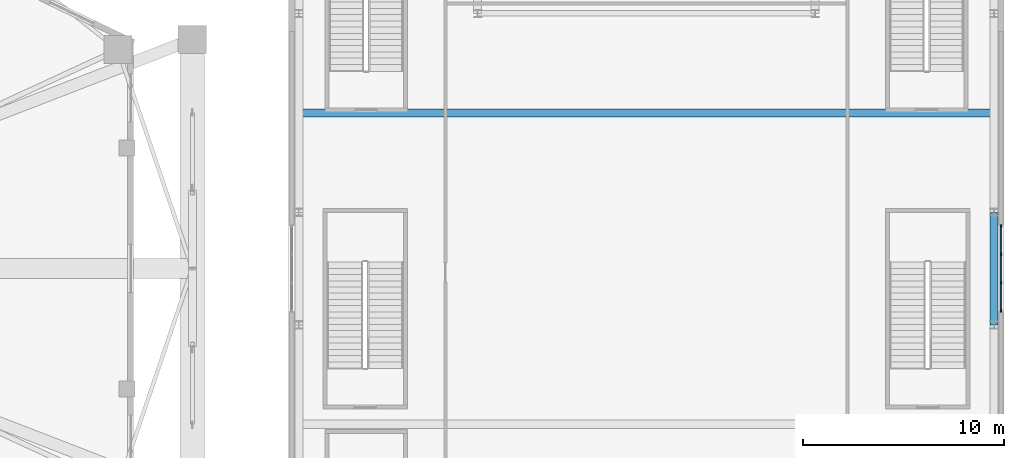
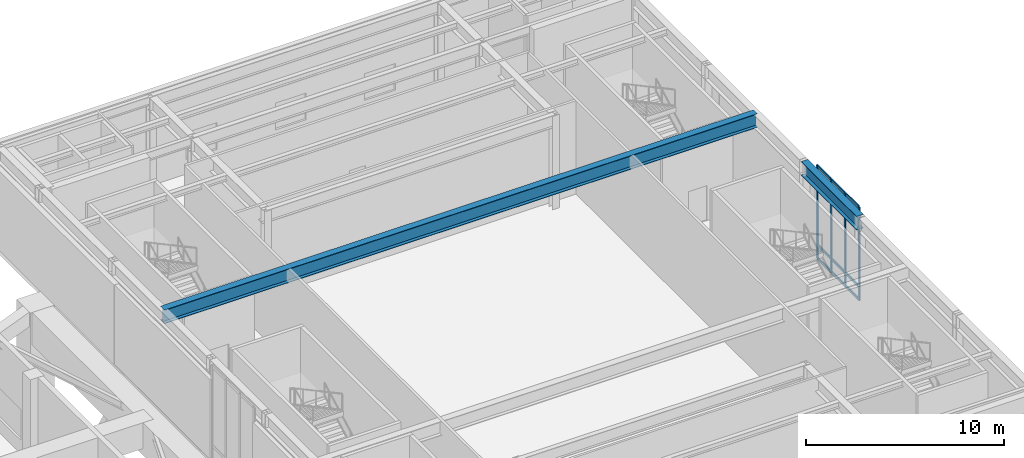
# One storey, part 11 of 25: 13 members, 2 beams, 1 element without a shape of its own.
"""IFC4 building model written with IfcOpenShell, lengths in metres."""

from ifc_helpers import new_model, si_unit, direction, frame, origin, origin_2d, place, context, subcontext, project, spatial, rectangle, i_section, extrude, material, layer, layer_set, material_profile, profile_set, type_object, element, aggregate, save


model = new_model("IFC4")

# Units and contexts
model_context = context("Model", 3, precision=1e-05, world=origin(), true_north=direction((0.0, 1.0)))
body_context = subcontext(model_context, "Body", "Model", "MODEL_VIEW")
ifc_project = project(units=[si_unit("LENGTHUNIT", "METRE"), si_unit("AREAUNIT", "SQUARE_METRE"), si_unit("VOLUMEUNIT", "CUBIC_METRE"), si_unit("PLANEANGLEUNIT", "RADIAN"), si_unit("MASSUNIT", "GRAM", prefix="KILO")], contexts=[model_context])

# Site, building, storey
site_placement = place(None, origin())
site = spatial("IfcSite", under=ifc_project, at=site_placement, CompositionType="ELEMENT")
building_placement = place(site_placement, origin())
building = spatial("IfcBuilding", under=site, at=building_placement, Name="Kolvaren Gate Tower and Convention Centre", CompositionType="ELEMENT")
storey_placement = place(building_placement, frame((0.0, 0.0, 15.0)))
storey = spatial("IfcBuildingStorey", under=building, at=storey_placement, Name="L03", CompositionType="ELEMENT", Elevation=15.0)

# Curtain wall, members
ifc_material_1 = material(Name="Anodized Architectural Aluminium Alloy 6063-T6", Category="aluminium")
ifc_layer = layer(ifc_material_1, 0.179931640625)
ifc_layer_set = layer_set([ifc_layer], Name="Anodized Architectural Aluminium Alloy 6063-T6")
curtain_wall_type = type_object("IfcCurtainWallType", Name="CW-CONV-GLZ", PredefinedType="NOTDEFINED", material=ifc_layer_set)
curtain_wall_placement = place(storey_placement, origin())
curtain_wall = element("IfcCurtainWall", 1, at=curtain_wall_placement, inside=storey, type_object=curtain_wall_type, Name="Convention L03 E Foyer Curtain Wall CW-CC-L03-E", PredefinedType="NOTDEFINED")
ifc_material_profile_1 = material_profile(ifc_material_1, rectangle(XDim=0.06494140625, YDim=0.159912109375, at=origin_2d()), Name="CW-MEM-MUL-160")
ifc_profile_set_1 = profile_set([ifc_material_profile_1], Name="Anodized Architectural Aluminium Alloy 6063-T6")
member_type_1 = type_object("IfcMemberType", Name="CW-MEM-MUL-160", PredefinedType="MULLION", material=ifc_profile_set_1)
member_1_placement = place(storey_placement, frame((97.64990234375, 24.892578125, 0.0), z_axis=(0.0, 0.0, 1.0), x_axis=(-1.0, 0.0, 0.0)))
member_1 = element("IfcMember", 2, at=member_1_placement, type_object=member_type_1, Name="CW-06 mullion 1", PredefinedType="MULLION", context=body_context, shape_type="SweptSolid", body=[
    extrude(rectangle(XDim=0.06494140625, YDim=0.159912109375, at=origin_2d()), origin(), (0.0, 0.0, 1.0), 5.760009765625),
])
member_2_placement = place(storey_placement, frame((97.64990234375, 26.28662109375, 0.0), z_axis=(0.0, 0.0, 1.0), x_axis=(-1.0, 0.0, 0.0)))
member_2 = element("IfcMember", 3, at=member_2_placement, type_object=member_type_1, Name="CW-06 mullion 2", PredefinedType="MULLION", context=body_context, shape_type="SweptSolid", body=[
    extrude(rectangle(XDim=0.06494140625, YDim=0.159912109375, at=origin_2d()), origin(), (0.0, 0.0, 1.0), 5.760009765625),
])
member_3_placement = place(storey_placement, frame((97.64990234375, 27.71337890625, 0.0), z_axis=(0.0, 0.0, 1.0), x_axis=(-1.0, 0.0, 0.0)))
member_3 = element("IfcMember", 4, at=member_3_placement, type_object=member_type_1, Name="CW-06 mullion 3", PredefinedType="MULLION", context=body_context, shape_type="SweptSolid", body=[
    extrude(rectangle(XDim=0.06494140625, YDim=0.159912109375, at=origin_2d()), origin(), (0.0, 0.0, 1.0), 5.760009765625),
])
member_4_placement = place(storey_placement, frame((97.64990234375, 29.107421875, 0.0), z_axis=(0.0, 0.0, 1.0), x_axis=(-1.0, 0.0, 0.0)))
member_4 = element("IfcMember", 5, at=member_4_placement, type_object=member_type_1, Name="CW-06 mullion 4", PredefinedType="MULLION", context=body_context, shape_type="SweptSolid", body=[
    extrude(rectangle(XDim=0.06494140625, YDim=0.159912109375, at=origin_2d()), origin(), (0.0, 0.0, 1.0), 5.760009765625),
])
ifc_material_profile_2 = material_profile(ifc_material_1, rectangle(XDim=0.06494140625, YDim=0.159912109375, at=origin_2d()), Name="CW-MEM-TRN-160")
ifc_profile_set_2 = profile_set([ifc_material_profile_2], Name="Anodized Architectural Aluminium Alloy 6063-T6")
member_type_2 = type_object("IfcMemberType", Name="CW-MEM-TRN-160", PredefinedType="USERDEFINED", material=ifc_profile_set_2)
member_5_placement = place(storey_placement, frame((97.64990234375, 24.925048828125, 0.032470703125), z_axis=(0.0, 1.0, 0.0), x_axis=(-1.0, 0.0, 0.0)))
member_5 = element("IfcMember", 6, at=member_5_placement, type_object=member_type_2, Name="CW-06 transom 1.1", ObjectType="TRANSOM", PredefinedType="USERDEFINED", context=body_context, shape_type="SweptSolid", body=[
    extrude(rectangle(XDim=0.06494140625, YDim=0.159912109375, at=origin_2d()), origin(), (0.0, 0.0, 1.0), 1.3291015625),
])
member_6_placement = place(storey_placement, frame((97.64990234375, 24.925048828125, 0.85009765625), z_axis=(0.0, 1.0, 0.0), x_axis=(-1.0, 0.0, 0.0)))
member_6 = element("IfcMember", 7, at=member_6_placement, type_object=member_type_2, Name="CW-06 transom 1.2", ObjectType="TRANSOM", PredefinedType="USERDEFINED", context=body_context, shape_type="SweptSolid", body=[
    extrude(rectangle(XDim=0.06494140625, YDim=0.159912109375, at=origin_2d()), origin(), (0.0, 0.0, 1.0), 1.3291015625),
])
member_7_placement = place(storey_placement, frame((97.64990234375, 24.925048828125, 5.7275390625), z_axis=(0.0, 1.0, 0.0), x_axis=(-1.0, 0.0, 0.0)))
member_7 = element("IfcMember", 8, at=member_7_placement, type_object=member_type_2, Name="CW-06 transom 1.3", ObjectType="TRANSOM", PredefinedType="USERDEFINED", context=body_context, shape_type="SweptSolid", body=[
    extrude(rectangle(XDim=0.06494140625, YDim=0.159912109375, at=origin_2d()), origin(), (0.0, 0.0, 1.0), 1.3291015625),
])
member_8_placement = place(storey_placement, frame((97.64990234375, 26.319091796875, 0.032470703125), z_axis=(0.0, 1.0, 0.0), x_axis=(-1.0, 0.0, 0.0)))
member_8 = element("IfcMember", 9, at=member_8_placement, type_object=member_type_2, Name="CW-06 transom 2.1", ObjectType="TRANSOM", PredefinedType="USERDEFINED", context=body_context, shape_type="SweptSolid", body=[
    extrude(rectangle(XDim=0.06494140625, YDim=0.159912109375, at=origin_2d()), origin(), (0.0, 0.0, 1.0), 1.36181640625),
])
member_9_placement = place(storey_placement, frame((97.64990234375, 26.319091796875, 0.85009765625), z_axis=(0.0, 1.0, 0.0), x_axis=(-1.0, 0.0, 0.0)))
member_9 = element("IfcMember", 10, at=member_9_placement, type_object=member_type_2, Name="CW-06 transom 2.2", ObjectType="TRANSOM", PredefinedType="USERDEFINED", context=body_context, shape_type="SweptSolid", body=[
    extrude(rectangle(XDim=0.06494140625, YDim=0.159912109375, at=origin_2d()), origin(), (0.0, 0.0, 1.0), 1.36181640625),
])
member_10_placement = place(storey_placement, frame((97.64990234375, 26.319091796875, 5.7275390625), z_axis=(0.0, 1.0, 0.0), x_axis=(-1.0, 0.0, 0.0)))
member_10 = element("IfcMember", 11, at=member_10_placement, type_object=member_type_2, Name="CW-06 transom 2.3", ObjectType="TRANSOM", PredefinedType="USERDEFINED", context=body_context, shape_type="SweptSolid", body=[
    extrude(rectangle(XDim=0.06494140625, YDim=0.159912109375, at=origin_2d()), origin(), (0.0, 0.0, 1.0), 1.36181640625),
])
member_11_placement = place(storey_placement, frame((97.64990234375, 27.745849609375, 0.032470703125), z_axis=(0.0, 1.0, 0.0), x_axis=(-1.0, 0.0, 0.0)))
member_11 = element("IfcMember", 12, at=member_11_placement, type_object=member_type_2, Name="CW-06 transom 3.1", ObjectType="TRANSOM", PredefinedType="USERDEFINED", context=body_context, shape_type="SweptSolid", body=[
    extrude(rectangle(XDim=0.06494140625, YDim=0.159912109375, at=origin_2d()), origin(), (0.0, 0.0, 1.0), 1.3291015625),
])
member_12_placement = place(storey_placement, frame((97.64990234375, 27.745849609375, 0.85009765625), z_axis=(0.0, 1.0, 0.0), x_axis=(-1.0, 0.0, 0.0)))
member_12 = element("IfcMember", 13, at=member_12_placement, type_object=member_type_2, Name="CW-06 transom 3.2", ObjectType="TRANSOM", PredefinedType="USERDEFINED", context=body_context, shape_type="SweptSolid", body=[
    extrude(rectangle(XDim=0.06494140625, YDim=0.159912109375, at=origin_2d()), origin(), (0.0, 0.0, 1.0), 1.3291015625),
])
member_13_placement = place(storey_placement, frame((97.64990234375, 27.745849609375, 5.7275390625), z_axis=(0.0, 1.0, 0.0), x_axis=(-1.0, 0.0, 0.0)))
member_13 = element("IfcMember", 14, at=member_13_placement, type_object=member_type_2, Name="CW-06 transom 3.3", ObjectType="TRANSOM", PredefinedType="USERDEFINED", context=body_context, shape_type="SweptSolid", body=[
    extrude(rectangle(XDim=0.06494140625, YDim=0.159912109375, at=origin_2d()), origin(), (0.0, 0.0, 1.0), 1.3291015625),
])
aggregate(curtain_wall, [member_1, member_2, member_3, member_4, member_5, member_6, member_7, member_8, member_9, member_10, member_11, member_12, member_13])

# Beams
ifc_material_2 = material(Name="Structural steel ASTM A992 Grade 345 MPa", Category="steel")
ifc_material_profile_3 = material_profile(ifc_material_2, i_section(OverallWidth=0.39990234375, OverallDepth=0.85498046875, WebThickness=0.018310546875, FlangeThickness=0.029296875, at=origin_2d()), Name="W840X299")
ifc_profile_set_3 = profile_set([ifc_material_profile_3], Name="Structural steel ASTM A992 Grade 345 MPa")
beam_type = type_object("IfcBeamType", Name="STR-BM-W840X299", PredefinedType="BEAM", material=ifc_profile_set_3)
beam_1_placement = place(storey_placement, frame((97.300048828125, 24.199951171875, 5.33251953125), z_axis=(0.0, 1.0, 0.0), x_axis=(-1.0, 0.0, 0.0)))
element("IfcBeam", 15, at=beam_1_placement, inside=storey, type_object=beam_type, Name="Convention L03 Longitudinal Girder CG-44", PredefinedType="BEAM", context=body_context, shape_type="SweptSolid", body=[
    extrude(i_section(OverallWidth=0.39990234375, OverallDepth=0.85498046875, WebThickness=0.018310546875, FlangeThickness=0.029296875, at=origin_2d()), origin(), (0.0, 0.0, 1.0), 5.60009765625),
])
beam_2_placement = place(storey_placement, frame((62.699951171875, 34.75, 5.33251953125), z_axis=(1.0, 0.0, 0.0), x_axis=(0.0, 1.0, 0.0)))
element("IfcBeam", 16, at=beam_2_placement, inside=storey, type_object=beam_type, Name="Convention L03 Clear-Span Secondary Girder CSG-5", PredefinedType="BEAM", context=body_context, shape_type="SweptSolid", body=[
    extrude(i_section(OverallWidth=0.39990234375, OverallDepth=0.85498046875, WebThickness=0.018310546875, FlangeThickness=0.029296875, at=origin_2d()), origin(), (0.0, 0.0, 1.0), 34.60009765625),
])

save(model, "model.ifc")
